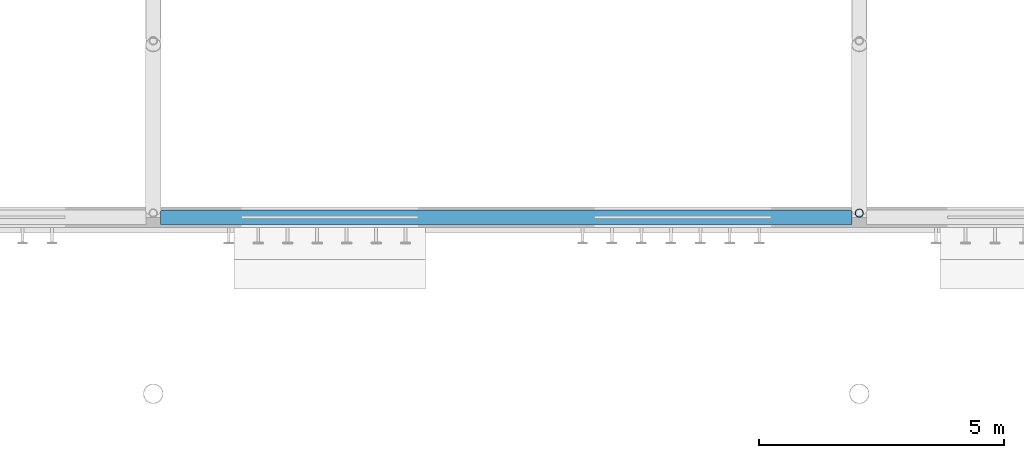
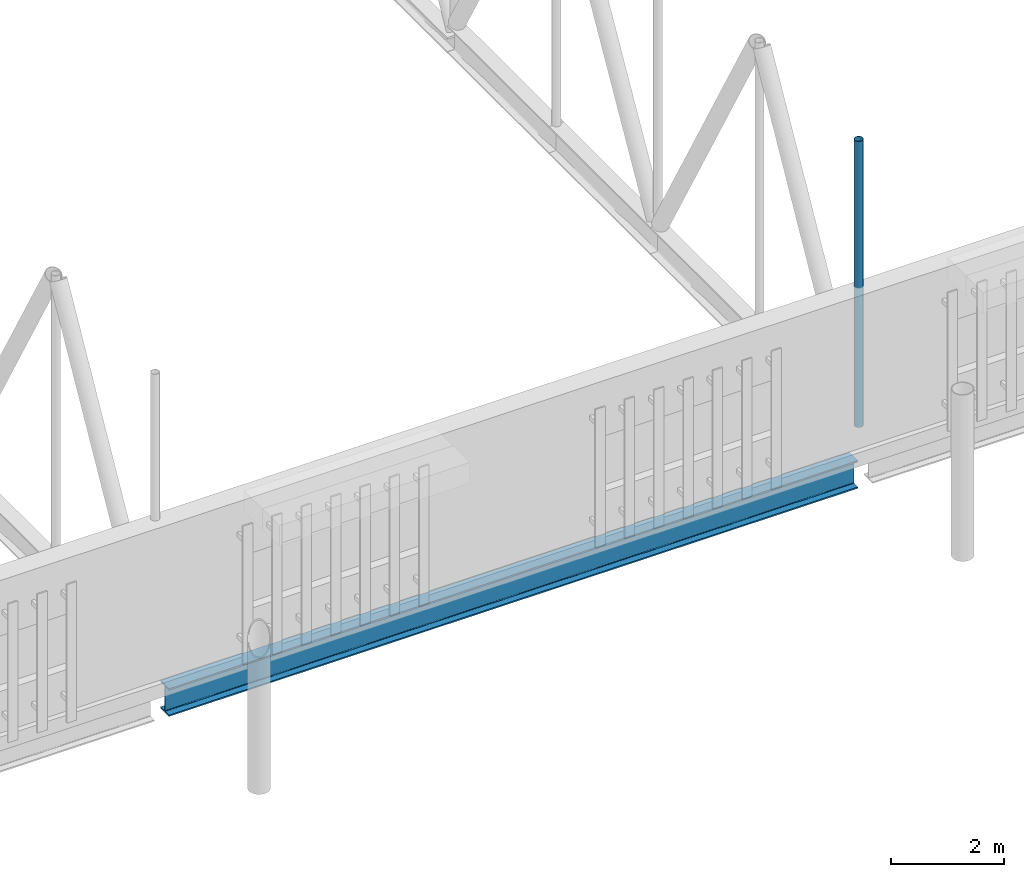
# One storey, part 56 of 142: 1 beam, 1 member.
"""IFC4 building model written with IfcOpenShell, lengths in metres."""

from ifc_helpers import new_model, si_unit, direction, frame, origin, origin_2d, place, context, subcontext, project, spatial, hollow_circle, i_section, extrude, material, material_profile, profile_set, type_object, element, save


model = new_model("IFC4")

# Units and contexts
model_context = context("Model", 3, precision=1e-05, world=origin(), true_north=direction((0.0, 1.0)))
body_context = subcontext(model_context, "Body", "Model", "MODEL_VIEW")
ifc_project = project(units=[si_unit("LENGTHUNIT", "METRE"), si_unit("AREAUNIT", "SQUARE_METRE"), si_unit("VOLUMEUNIT", "CUBIC_METRE"), si_unit("PLANEANGLEUNIT", "RADIAN"), si_unit("MASSUNIT", "GRAM", prefix="KILO")], contexts=[model_context])

# Site, building, storey
site_placement = place(None, origin())
site = spatial("IfcSite", under=ifc_project, at=site_placement, CompositionType="ELEMENT")
building_placement = place(site_placement, origin())
building = spatial("IfcBuilding", under=site, at=building_placement, Name="Kupolbacken Congress Centre", CompositionType="ELEMENT")
storey_placement = place(building_placement, frame((0.0, 0.0, 14.39990234375)))
storey = spatial("IfcBuildingStorey", under=building, at=storey_placement, Name="L04", CompositionType="ELEMENT", Elevation=14.39990234375)

# Beam
ifc_material_1 = material(Name="Steel S355", Category="steel")
ifc_material_profile_1 = material_profile(ifc_material_1, i_section(OverallWidth=0.300048828125, OverallDepth=0.60009765625, WebThickness=0.015380859375, FlangeThickness=0.030029296875, FilletRadius=0.027099609375, at=origin_2d()), Name="HEB 600")
ifc_profile_set_1 = profile_set([ifc_material_profile_1], Name="Steel S355")
beam_type = type_object("IfcBeamType", Name="B15 beam HEB 600", PredefinedType="BEAM", material=ifc_profile_set_1)
beam_placement = place(storey_placement, frame((165.75, 43.199951171875, -0.2998046875), z_axis=(1.0, 0.0, 0.0), x_axis=(0.0, 1.0, 0.0)))
element("IfcBeam", 1, at=beam_placement, inside=storey, type_object=beam_type, Name="Edge girder", PredefinedType="BEAM", context=body_context, shape_type="SweptSolid", body=[
    extrude(i_section(OverallWidth=0.300048828125, OverallDepth=0.60009765625, WebThickness=0.015380859375, FlangeThickness=0.030029296875, FilletRadius=0.027099609375, at=origin_2d()), origin(), (0.0, 0.0, 1.0), 14.10009765625),
])

# Member
ifc_material_2 = material(Name="Steel S355", Category="steel")
ifc_material_profile_2 = material_profile(ifc_material_2, hollow_circle(Radius=0.084228515625, WallThickness=0.008056640625, at=origin_2d()), Name="CHS 168.3 x 8")
ifc_profile_set_2 = profile_set([ifc_material_profile_2], Name="Steel S355")
member_type = type_object("IfcMemberType", Name="M20 transfer truss post CHS 168.3 x 8", PredefinedType="STRUT", material=ifc_profile_set_2)
member_placement = place(storey_placement, frame((180.0, 43.2841796875, 0.580078125), z_axis=(0.0, 0.0, 1.0), x_axis=(0.0, 1.0, 0.0)))
element("IfcMember", 2, at=member_placement, inside=storey, type_object=member_type, Name="HT/T7/P00", PredefinedType="STRUT", context=body_context, shape_type="SweptSolid", body=[
    extrude(hollow_circle(Radius=0.084228515625, WallThickness=0.008056640625, at=origin_2d()), origin(), (0.0, 0.0, 1.0), 6.18994140625),
])

save(model, "model.ifc")
